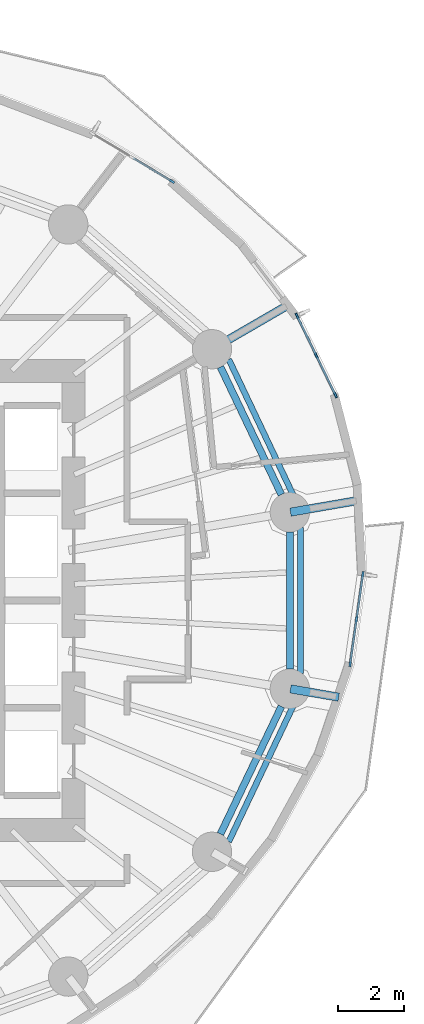
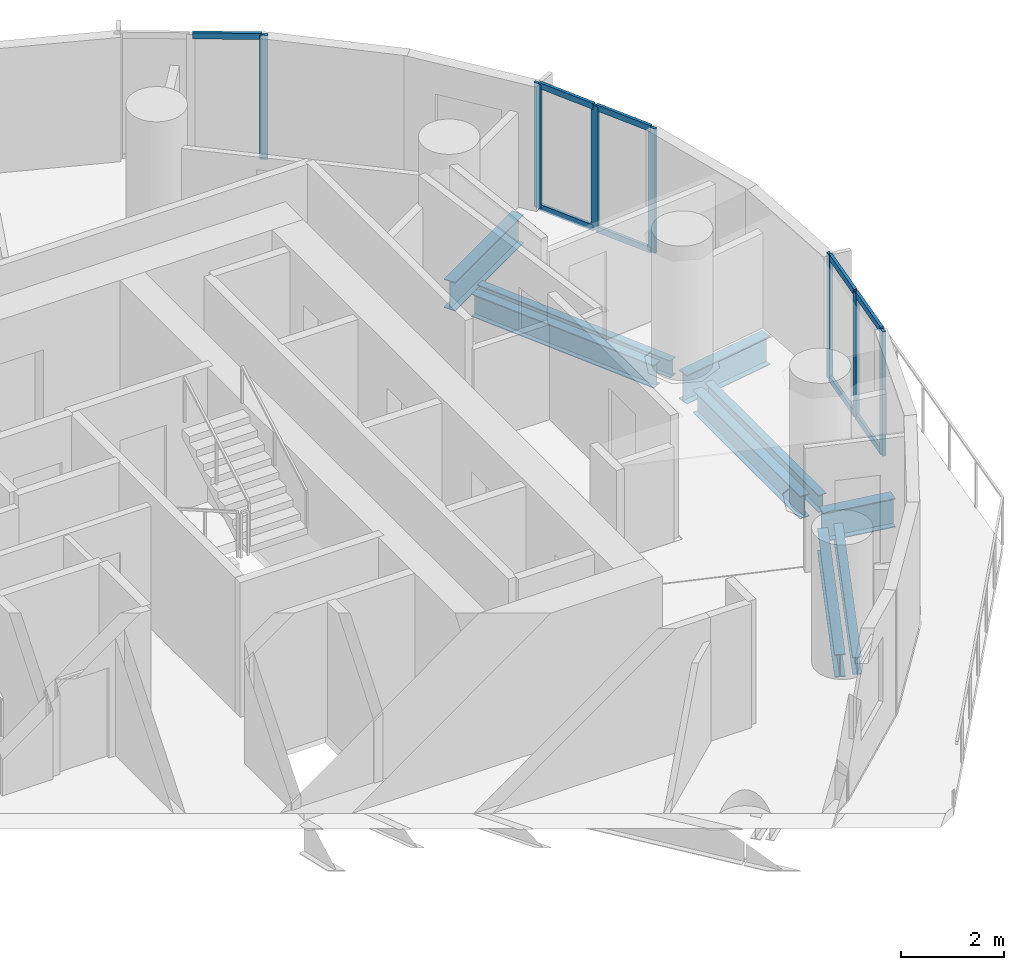
# One storey, part 5 of 14: 16 members, 9 beams, 3 elements without a shape of their own.
"""IFC4 building model written with IfcOpenShell, lengths in metres."""

from ifc_helpers import new_model, si_unit, direction, frame, origin, origin_2d, place, context, subcontext, project, spatial, rectangle, i_section, extrude, material, material_profile, profile_set, type_object, element, aggregate, save


model = new_model("IFC4")

# Units and contexts
model_context = context("Model", 3, precision=1e-05, world=origin(), true_north=direction((0.0, 1.0)))
body_context = subcontext(model_context, "Body", "Model", "MODEL_VIEW")
ifc_project = project(units=[si_unit("LENGTHUNIT", "METRE"), si_unit("AREAUNIT", "SQUARE_METRE"), si_unit("VOLUMEUNIT", "CUBIC_METRE"), si_unit("PLANEANGLEUNIT", "RADIAN"), si_unit("MASSUNIT", "GRAM", prefix="KILO")], contexts=[model_context])

# Site, building, storey
site_placement = place(None, origin())
site = spatial("IfcSite", under=ifc_project, at=site_placement, CompositionType="ELEMENT")
building_placement = place(site_placement, origin())
building = spatial("IfcBuilding", under=site, at=building_placement, Name="Veldorim Arch Residences", CompositionType="ELEMENT")
storey_placement = place(building_placement, frame((0.0, 0.0, 86.8798828125)))
storey = spatial("IfcBuildingStorey", under=building, at=storey_placement, Name="L25", CompositionType="ELEMENT", Elevation=86.8798828125)

# Beams
ifc_material_1 = material(Name="Steel S355", Category="steel")
ifc_material_profile_1 = material_profile(ifc_material_1, i_section(OverallWidth=0.2119140625, OverallDepth=0.54443359375, WebThickness=0.0126953125, FlangeThickness=0.021240234375, at=origin_2d()), Name="UB533x210x122")
ifc_profile_set_1 = profile_set([ifc_material_profile_1], Name="Steel S355")
beam_type_1 = type_object("IfcBeamType", Name="Structural Steel Beam UB533x210x122", PredefinedType="BEAM", material=ifc_profile_set_1)
for number, where, z_axis, x_axis, name in (
    (1, (47.336181640625, 27.233642578125, -0.511962890625), (-0.430720154476, 0.902485539235, 0.0), (-0.902485539235, -0.430720154476, 0.0), "L25 perimeter ring tie beam 01"),
    (2, (45.478759765625, 16.87451171875, -0.511962890625), (0.430720154476, 0.902485539235, 0.0), (-0.902485539235, 0.430720154476, 0.0), "L25 perimeter ring tie beam 15"),
):
    element("IfcBeam", number, at=place(storey_placement, frame(where, z_axis=z_axis, x_axis=x_axis)), inside=storey, type_object=beam_type_1, Name=name, PredefinedType="BEAM", context=body_context, shape_type="SweptSolid", body=[
        extrude(i_section(OverallWidth=0.2119140625, OverallDepth=0.54443359375, WebThickness=0.0126953125, FlangeThickness=0.021240234375, at=origin_2d()), origin(), (0.0, 0.0, 1.0), 4.312255859375),
    ])
beam_1_placement = place(storey_placement, frame((47.594482421875, 21.90771484375, -0.511962890625), z_axis=(0.0, 1.0, 0.0), x_axis=(-1.0, 0.0, 0.0)))
element("IfcBeam", 3, at=beam_1_placement, inside=storey, type_object=beam_type_1, Name="L25 perimeter ring tie beam 16", PredefinedType="BEAM", context=body_context, shape_type="SweptSolid", body=[
    extrude(i_section(OverallWidth=0.2119140625, OverallDepth=0.54443359375, WebThickness=0.0126953125, FlangeThickness=0.021240234375, at=origin_2d()), origin(), (0.0, 0.0, 1.0), 4.1845703125),
])
ifc_material_2 = material(Name="Steel S355", Category="steel")
ifc_material_profile_2 = material_profile(ifc_material_2, i_section(OverallWidth=0.25439453125, OverallDepth=0.6875, WebThickness=0.01318359375, FlangeThickness=0.02099609375, at=origin_2d()), Name="UB686x254x152")
ifc_profile_set_2 = profile_set([ifc_material_profile_2], Name="Steel S355")
beam_type_2 = type_object("IfcBeamType", Name="Structural Steel GIRDER UB686x254x152", PredefinedType="USERDEFINED", material=ifc_profile_set_2)
beam_2_placement = place(storey_placement, frame((47.6142578125, 26.695556640625, -0.58349609375), z_axis=(0.985423467948, 0.170119336988, 0.0), x_axis=(-0.170119336988, 0.985423467948, 0.0)))
element("IfcBeam", 4, at=beam_2_placement, inside=storey, type_object=beam_type_2, Name="L25 radial edge cantilever girder 01", ObjectType="GIRDER", PredefinedType="USERDEFINED", context=body_context, shape_type="SweptSolid", body=[
    extrude(i_section(OverallWidth=0.25439453125, OverallDepth=0.6875, WebThickness=0.01318359375, FlangeThickness=0.02099609375, at=origin_2d()), origin(), (0.0, 0.0, 1.0), 2.11669921875),
])
beam_3_placement = place(storey_placement, frame((45.23779296875, 31.677001953125, -0.58349609375), z_axis=(0.865063665573, 0.501662091956, 0.0), x_axis=(-0.501662091956, 0.865063665573, 0.0)))
element("IfcBeam", 5, at=beam_3_placement, inside=storey, type_object=beam_type_2, Name="L25 radial edge cantilever girder 02", ObjectType="GIRDER", PredefinedType="USERDEFINED", context=body_context, shape_type="SweptSolid", body=[
    extrude(i_section(OverallWidth=0.25439453125, OverallDepth=0.6875, WebThickness=0.01318359375, FlangeThickness=0.02099609375, at=origin_2d()), origin(), (0.0, 0.0, 1.0), 2.67529296875),
])
beam_4_placement = place(storey_placement, frame((47.6142578125, 21.304443359375, -0.58349609375), z_axis=(0.985432749293, -0.170065565652, 0.0), x_axis=(0.170065565652, 0.985432749293, 0.0)))
element("IfcBeam", 6, at=beam_4_placement, inside=storey, type_object=beam_type_2, Name="L25 radial edge cantilever girder 16", ObjectType="GIRDER", PredefinedType="USERDEFINED", context=body_context, shape_type="SweptSolid", body=[
    extrude(i_section(OverallWidth=0.25439453125, OverallDepth=0.6875, WebThickness=0.01318359375, FlangeThickness=0.02099609375, at=origin_2d()), origin(), (0.0, 0.0, 1.0), 1.494384765625),
])
ifc_material_3 = material(Name="Steel S355", Category="steel")
ifc_material_profile_3 = material_profile(ifc_material_3, i_section(OverallWidth=0.1787109375, OverallDepth=0.409423828125, WebThickness=0.0087890625, FlangeThickness=0.014404296875, at=origin_2d()), Name="UB406x178x67")
ifc_profile_set_3 = profile_set([ifc_material_profile_3], Name="Steel S355")
beam_type_3 = type_object("IfcBeamType", Name="Structural Steel Spandrel UB406x178x67", PredefinedType="SPANDREL", material=ifc_profile_set_3)
for number, where, z_axis, x_axis, name in (
    (7, (47.693115234375, 27.225341796875, -0.464599609375), (-0.428857472204, 0.903372165021, 0.0), (-0.903372165021, -0.428857472204, 0.0), "L25 perimeter chord spandrel beam 01"),
    (8, (45.732421875, 16.64453125, -0.464599609375), (0.428857472204, 0.903372165021, 0.0), (-0.903372165021, 0.428857472204, 0.0), "L25 perimeter chord spandrel beam 15"),
):
    element("IfcBeam", number, at=place(storey_placement, frame(where, z_axis=z_axis, x_axis=x_axis)), inside=storey, type_object=beam_type_3, Name=name, PredefinedType="SPANDREL", context=body_context, shape_type="SweptSolid", body=[
        extrude(i_section(OverallWidth=0.1787109375, OverallDepth=0.409423828125, WebThickness=0.0087890625, FlangeThickness=0.014404296875, at=origin_2d()), origin(), (0.0, 0.0, 1.0), 4.572021484375),
    ])
beam_5_placement = place(storey_placement, frame((47.919677734375, 21.77978515625, -0.464599609375), z_axis=(0.0, 1.0, 0.0), x_axis=(-1.0, 0.0, 0.0)))
element("IfcBeam", 9, at=beam_5_placement, inside=storey, type_object=beam_type_3, Name="L25 perimeter chord spandrel beam 16", PredefinedType="SPANDREL", context=body_context, shape_type="SweptSolid", body=[
    extrude(i_section(OverallWidth=0.1787109375, OverallDepth=0.409423828125, WebThickness=0.0087890625, FlangeThickness=0.014404296875, at=origin_2d()), origin(), (0.0, 0.0, 1.0), 4.4404296875),
])

# Curtain wall, members
ifc_material_4 = material(Name="Aluminium", Category="aluminium")
curtain_wall_type = type_object("IfcCurtainWallType", Name="Zone 2 Solar-Control Unitised Curtain Wall", PredefinedType="NOTDEFINED", material=ifc_material_4)
curtain_wall_1_placement = place(storey_placement, origin())
curtain_wall_1 = element("IfcCurtainWall", 10, at=curtain_wall_1_placement, inside=storey, type_object=curtain_wall_type, Name="L25 unitised curtain wall bay 01", PredefinedType="NOTDEFINED")
ifc_material_5 = material(Name="Aluminium", Category="aluminium")
ifc_material_profile_4 = material_profile(ifc_material_5, rectangle(XDim=0.06494140625, YDim=0.1650390625, at=origin_2d()), Name="ALU_MUL_65x165")
ifc_profile_set_4 = profile_set([ifc_material_profile_4], Name="Aluminium")
member_type_1 = type_object("IfcMemberType", Name="Zone 2 Solar-Control Unitised Curtain Wall Mullion 65x165", PredefinedType="MULLION", material=ifc_profile_set_4)
member_1_placement = place(storey_placement, frame((47.81298828125, 32.684326171875, 0.0), z_axis=(0.0, 0.0, 1.0), x_axis=(0.89943933332, 0.437045633403, 0.0)))
member_1 = element("IfcMember", 11, at=member_1_placement, type_object=member_type_1, Name="CW-Z2 mullion 1", PredefinedType="MULLION", context=body_context, shape_type="SweptSolid", body=[
    extrude(rectangle(XDim=0.06494140625, YDim=0.1650390625, at=origin_2d()), origin(), (0.0, 0.0, 1.0), 2.960205078125),
])
member_2_placement = place(storey_placement, frame((48.401611328125, 31.473388671875, 0.0), z_axis=(0.0, 0.0, 1.0), x_axis=(0.89943933332, 0.437045633403, 0.0)))
member_2 = element("IfcMember", 12, at=member_2_placement, type_object=member_type_1, Name="CW-Z2 mullion 2", PredefinedType="MULLION", context=body_context, shape_type="SweptSolid", body=[
    extrude(rectangle(XDim=0.06494140625, YDim=0.1650390625, at=origin_2d()), origin(), (0.0, 0.0, 1.0), 2.960205078125),
])
member_3_placement = place(storey_placement, frame((48.989990234375, 30.262451171875, 0.0), z_axis=(0.0, 0.0, 1.0), x_axis=(0.89943933332, 0.437045633403, 0.0)))
member_3 = element("IfcMember", 13, at=member_3_placement, type_object=member_type_1, Name="CW-Z2 mullion 3", PredefinedType="MULLION", context=body_context, shape_type="SweptSolid", body=[
    extrude(rectangle(XDim=0.06494140625, YDim=0.1650390625, at=origin_2d()), origin(), (0.0, 0.0, 1.0), 2.960205078125),
])

# Curtain wall, member
curtain_wall_2_placement = place(storey_placement, origin())
curtain_wall_2 = element("IfcCurtainWall", 14, at=curtain_wall_2_placement, inside=storey, type_object=curtain_wall_type, Name="L25 unitised curtain wall bay 04", PredefinedType="NOTDEFINED")
member_4_placement = place(storey_placement, frame((43.9990234375, 36.78759765625, 0.0), z_axis=(0.0, 0.0, 1.0), x_axis=(0.514313089023, 0.857602499098, 0.0)))
member_4 = element("IfcMember", 15, at=member_4_placement, type_object=member_type_1, Name="CW-Z2 mullion 3", PredefinedType="MULLION", context=body_context, shape_type="SweptSolid", body=[
    extrude(rectangle(XDim=0.06494140625, YDim=0.1650390625, at=origin_2d()), origin(), (0.0, 0.0, 1.0), 2.960205078125),
])

# Curtain wall, members
curtain_wall_3_placement = place(storey_placement, origin())
curtain_wall_3 = element("IfcCurtainWall", 16, at=curtain_wall_3_placement, inside=storey, type_object=curtain_wall_type, Name="L25 unitised curtain wall bay 34", PredefinedType="NOTDEFINED")
member_5_placement = place(storey_placement, frame((49.8232421875, 24.802001953125, 0.0), z_axis=(0.0, 0.0, 1.0), x_axis=(0.990070536302, -0.140571452105, 0.0)))
member_5 = element("IfcMember", 17, at=member_5_placement, type_object=member_type_1, Name="CW-Z2 mullion 1", PredefinedType="MULLION", context=body_context, shape_type="SweptSolid", body=[
    extrude(rectangle(XDim=0.06494140625, YDim=0.1650390625, at=origin_2d()), origin(), (0.0, 0.0, 1.0), 2.960205078125),
])
member_6_placement = place(storey_placement, frame((49.628662109375, 23.431396484375, 0.0), z_axis=(0.0, 0.0, 1.0), x_axis=(0.990070536302, -0.140571452105, 0.0)))
member_6 = element("IfcMember", 18, at=member_6_placement, type_object=member_type_1, Name="CW-Z2 mullion 2", PredefinedType="MULLION", context=body_context, shape_type="SweptSolid", body=[
    extrude(rectangle(XDim=0.06494140625, YDim=0.1650390625, at=origin_2d()), origin(), (0.0, 0.0, 1.0), 2.960205078125),
])
member_7_placement = place(storey_placement, frame((49.43408203125, 22.06103515625, 0.0), z_axis=(0.0, 0.0, 1.0), x_axis=(0.990070536302, -0.140571452105, 0.0)))
member_7 = element("IfcMember", 19, at=member_7_placement, type_object=member_type_1, Name="CW-Z2 mullion 3", PredefinedType="MULLION", context=body_context, shape_type="SweptSolid", body=[
    extrude(rectangle(XDim=0.06494140625, YDim=0.1650390625, at=origin_2d()), origin(), (0.0, 0.0, 1.0), 2.960205078125),
])

# Member
ifc_material_6 = material(Name="Aluminium", Category="aluminium")
ifc_material_profile_5 = material_profile(ifc_material_6, rectangle(XDim=0.06494140625, YDim=0.14501953125, at=origin_2d()), Name="ALU_TRN_65x145")
ifc_profile_set_5 = profile_set([ifc_material_profile_5], Name="Aluminium")
member_type_2 = type_object("IfcMemberType", Name="Zone 2 Solar-Control Unitised Curtain Wall Transom 65x145", PredefinedType="USERDEFINED", material=ifc_profile_set_5)
member_8_placement = place(storey_placement, frame((47.827392578125, 32.655029296875, 0.03271484375), z_axis=(0.436970043232, -0.899476059335, 0.0), x_axis=(0.899476059335, 0.436970043232, 0.0)))
member_8 = element("IfcMember", 20, at=member_8_placement, type_object=member_type_2, Name="CW-Z2 transom 1.1", ObjectType="TRANSOM", PredefinedType="USERDEFINED", context=body_context, shape_type="SweptSolid", body=[
    extrude(rectangle(XDim=0.06494140625, YDim=0.14501953125, at=origin_2d()), origin(), (0.0, 0.0, 1.0), 1.281005859375),
])

member_9_placement = place(storey_placement, frame((47.827392578125, 32.655029296875, 2.927734375), z_axis=(0.436970043232, -0.899476059335, 0.0), x_axis=(0.899476059335, 0.436970043232, 0.0)))
member_9 = element("IfcMember", 21, at=member_9_placement, type_object=member_type_2, Name="CW-Z2 transom 1.2", ObjectType="TRANSOM", PredefinedType="USERDEFINED", context=body_context, shape_type="SweptSolid", body=[
    extrude(rectangle(XDim=0.06494140625, YDim=0.14501953125, at=origin_2d()), origin(), (0.0, 0.0, 1.0), 1.281005859375),
])

member_10_placement = place(storey_placement, frame((48.415771484375, 31.444091796875, 0.03271484375), z_axis=(0.436970043232, -0.899476059335, 0.0), x_axis=(0.899476059335, 0.436970043232, 0.0)))
member_10 = element("IfcMember", 22, at=member_10_placement, type_object=member_type_2, Name="CW-Z2 transom 2.1", ObjectType="TRANSOM", PredefinedType="USERDEFINED", context=body_context, shape_type="SweptSolid", body=[
    extrude(rectangle(XDim=0.06494140625, YDim=0.14501953125, at=origin_2d()), origin(), (0.0, 0.0, 1.0), 1.281005859375),
])

member_11_placement = place(storey_placement, frame((48.415771484375, 31.444091796875, 2.927734375), z_axis=(0.436970043232, -0.899476059335, 0.0), x_axis=(0.899476059335, 0.436970043232, 0.0)))
member_11 = element("IfcMember", 23, at=member_11_placement, type_object=member_type_2, Name="CW-Z2 transom 2.2", ObjectType="TRANSOM", PredefinedType="USERDEFINED", context=body_context, shape_type="SweptSolid", body=[
    extrude(rectangle(XDim=0.06494140625, YDim=0.14501953125, at=origin_2d()), origin(), (0.0, 0.0, 1.0), 1.281005859375),
])

aggregate(curtain_wall_1, [member_1, member_2, member_3, member_8, member_9, member_10, member_11])

member_12_placement = place(storey_placement, frame((42.81201171875, 37.49951171875, 2.927734375), z_axis=(0.857636334709, -0.514256664894, 0.0), x_axis=(0.514256664894, 0.857636334709, 0.0)))
member_12 = element("IfcMember", 24, at=member_12_placement, type_object=member_type_2, Name="CW-Z2 transom 2.2", ObjectType="TRANSOM", PredefinedType="USERDEFINED", context=body_context, shape_type="SweptSolid", body=[
    extrude(rectangle(XDim=0.06494140625, YDim=0.14501953125, at=origin_2d()), origin(), (0.0, 0.0, 1.0), 1.3515625),
])

aggregate(curtain_wall_2, [member_4, member_12])

member_13_placement = place(storey_placement, frame((49.81884765625, 24.769775390625, 0.03271484375), z_axis=(-0.140644069109, -0.990060223332, 0.0), x_axis=(0.990060223332, -0.140644069109, 0.0)))
member_13 = element("IfcMember", 25, at=member_13_placement, type_object=member_type_2, Name="CW-Z2 transom 1.1", ObjectType="TRANSOM", PredefinedType="USERDEFINED", context=body_context, shape_type="SweptSolid", body=[
    extrude(rectangle(XDim=0.06494140625, YDim=0.14501953125, at=origin_2d()), origin(), (0.0, 0.0, 1.0), 1.3193359375),
])

member_14_placement = place(storey_placement, frame((49.81884765625, 24.769775390625, 2.927734375), z_axis=(-0.140644069109, -0.990060223332, 0.0), x_axis=(0.990060223332, -0.140644069109, 0.0)))
member_14 = element("IfcMember", 26, at=member_14_placement, type_object=member_type_2, Name="CW-Z2 transom 1.2", ObjectType="TRANSOM", PredefinedType="USERDEFINED", context=body_context, shape_type="SweptSolid", body=[
    extrude(rectangle(XDim=0.06494140625, YDim=0.14501953125, at=origin_2d()), origin(), (0.0, 0.0, 1.0), 1.3193359375),
])

member_15_placement = place(storey_placement, frame((49.624267578125, 23.399169921875, 0.03271484375), z_axis=(-0.140669842386, -0.990056561739, 0.0), x_axis=(0.990056561739, -0.140669842386, 0.0)))
member_15 = element("IfcMember", 27, at=member_15_placement, type_object=member_type_2, Name="CW-Z2 transom 2.1", ObjectType="TRANSOM", PredefinedType="USERDEFINED", context=body_context, shape_type="SweptSolid", body=[
    extrude(rectangle(XDim=0.06494140625, YDim=0.14501953125, at=origin_2d()), origin(), (0.0, 0.0, 1.0), 1.319091796875),
])

member_16_placement = place(storey_placement, frame((49.624267578125, 23.399169921875, 2.927734375), z_axis=(-0.140669842386, -0.990056561739, 0.0), x_axis=(0.990056561739, -0.140669842386, 0.0)))
member_16 = element("IfcMember", 28, at=member_16_placement, type_object=member_type_2, Name="CW-Z2 transom 2.2", ObjectType="TRANSOM", PredefinedType="USERDEFINED", context=body_context, shape_type="SweptSolid", body=[
    extrude(rectangle(XDim=0.06494140625, YDim=0.14501953125, at=origin_2d()), origin(), (0.0, 0.0, 1.0), 1.319091796875),
])

aggregate(curtain_wall_3, [member_5, member_6, member_7, member_13, member_14, member_15, member_16])

save(model, "model.ifc")
